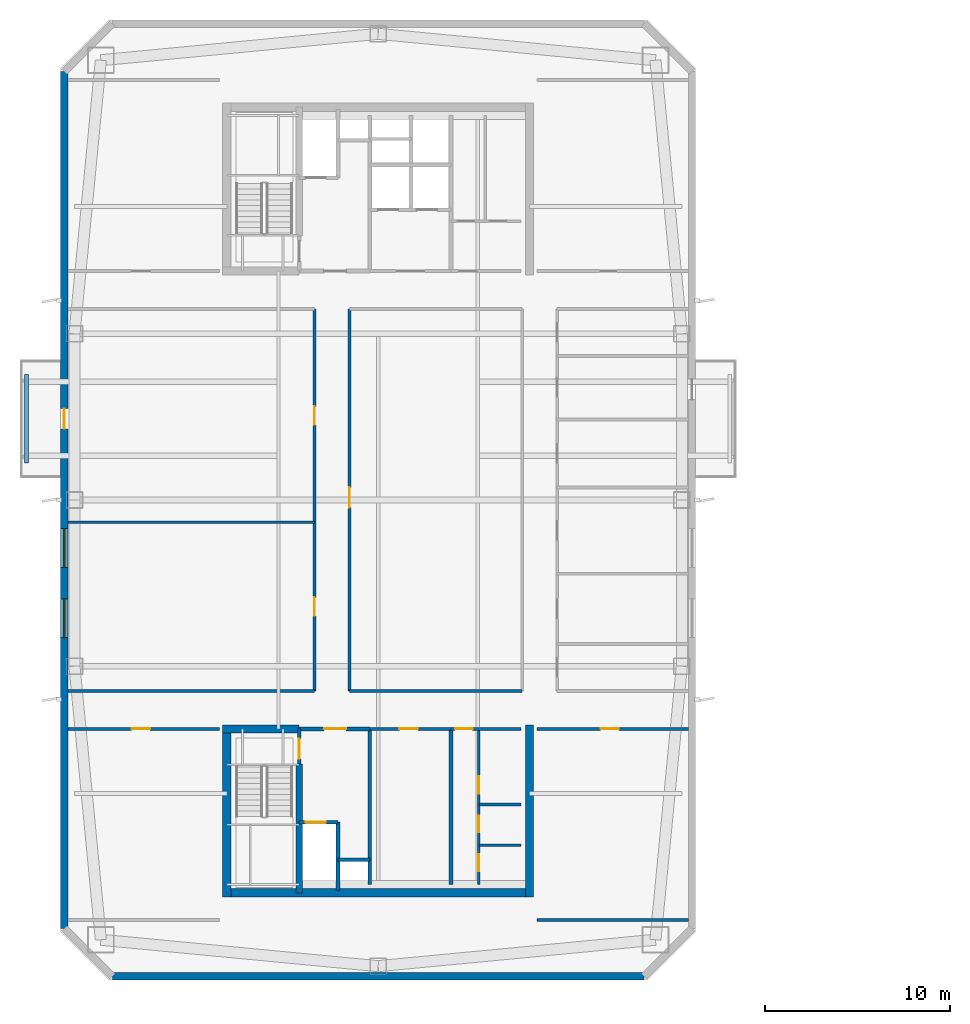
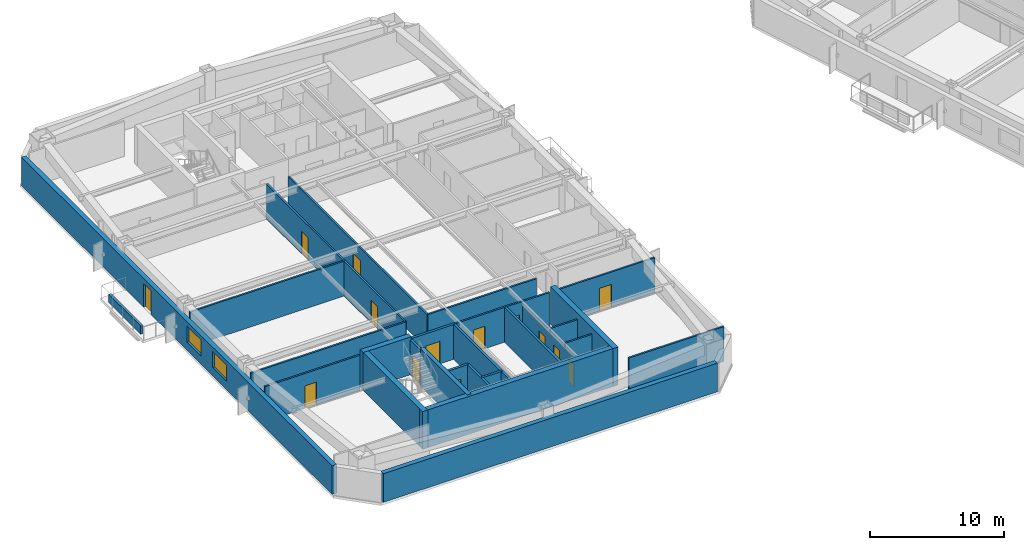
# One storey, part 5 of 17: 28 walls, 14 doors, 2 windows, 16 openings.
"""IFC4 building model written with IfcOpenShell, lengths in metres."""

import ifcopenshell
import ifcopenshell.guid

model = None  # the IFC model being written
_history = None  # IfcOwnerHistory: only IFC2X3 demands one
_inside = {}  # id of a spatial element -> (the spatial element, [elements in it])
_under = {}  # id of a project, library or spatial element -> (it, [spatial elements below it])
_declared = {}  # id of a project -> (the project, [libraries it declares])
_typed = {}  # id of a type object -> (the type object, [elements of that type])
_made_of = {}  # id of a material, layer set ... -> (it, [elements and type objects made of it])


def new_model(schema):
    """Start an empty IFC model of exactly this schema.

    Asked for "IFC4X3", IfcOpenShell would pick the latest addendum, in which some entities
    have other attributes; the version numbers below select the first issue.
    IFC2X3 requires an IfcOwnerHistory on every rooted entity: one is made here for all.
    """
    global model, _history
    if schema == "IFC4X3":
        model = ifcopenshell.file(schema_version=(4, 3, 0, 0))
    else:
        model = ifcopenshell.file(schema=schema)
    _inside.clear()
    _under.clear()
    _declared.clear()
    _typed.clear()
    _made_of.clear()
    _history = None
    if model.schema == "IFC2X3":
        org = make("IfcOrganization", Name="unknown")
        user = make(
            "IfcPersonAndOrganization",
            ThePerson=make("IfcPerson", FamilyName="unknown"),
            TheOrganization=org,
        )
        app = make(
            "IfcApplication",
            ApplicationDeveloper=org,
            Version="unknown",
            ApplicationFullName="unknown",
            ApplicationIdentifier="unknown",
        )
        _history = make(
            "IfcOwnerHistory",
            OwningUser=user,
            OwningApplication=app,
            ChangeAction="ADDED",
            CreationDate=0,
        )
    return model


def make(cls, **values):
    """One entity of the class cls with the attributes given. An attribute that is None is left unset."""
    return model.create_entity(
        cls, **{name: value for name, value in values.items() if value is not None}
    )


def rooted(cls, **values):
    """An entity with a GlobalId (a new one), such as an element, a storey or a relation."""
    return make(cls, GlobalId=ifcopenshell.guid.new(), OwnerHistory=_history, **values)


def si_unit(unit_type, name, prefix=None):
    """IfcSIUnit, for example si_unit("LENGTHUNIT", "METRE", prefix="MILLI")."""
    return make("IfcSIUnit", UnitType=unit_type, Prefix=prefix, Name=name)


def assignment(units):
    """IfcUnitAssignment: the units of a project."""
    return None if units is None else make("IfcUnitAssignment", Units=units)


def point(xyz):
    """IfcCartesianPoint."""
    return None if xyz is None else make("IfcCartesianPoint", Coordinates=xyz)


def direction(xyz):
    """IfcDirection."""
    return None if xyz is None else make("IfcDirection", DirectionRatios=xyz)


def frame(location, z_axis=None, x_axis=None):
    """IfcAxis2Placement3D, a coordinate frame: its origin and axes. An axis left out is left unset."""
    return make(
        "IfcAxis2Placement3D",
        Location=point(location),
        Axis=direction(z_axis),
        RefDirection=direction(x_axis),
    )


def frame_2d(location, x_axis=None):
    """IfcAxis2Placement2D, a coordinate frame in the plane: its origin and x axis."""
    return make(
        "IfcAxis2Placement2D", Location=point(location), RefDirection=direction(x_axis)
    )


def origin():
    """The frame at (0, 0, 0) with its axes left unset."""
    return frame((0.0, 0.0, 0.0))


def place(relative_to, where):
    """IfcLocalPlacement: puts the frame where relative to a parent placement (None: the world)."""
    return make(
        "IfcLocalPlacement", PlacementRelTo=relative_to, RelativePlacement=where
    )


def context(
    kind, dimensions, precision=None, world=None, true_north=None, identifier=None
):
    """IfcGeometricRepresentationContext, for example the 3D "Model" context."""
    return make(
        "IfcGeometricRepresentationContext",
        ContextIdentifier=identifier,
        ContextType=kind,
        CoordinateSpaceDimension=dimensions,
        Precision=precision,
        WorldCoordinateSystem=world,
        TrueNorth=true_north,
    )


def subcontext(parent, identifier, kind, view, scale=None):
    """IfcGeometricRepresentationSubContext, for example "Body" below "Model"."""
    return make(
        "IfcGeometricRepresentationSubContext",
        ContextIdentifier=identifier,
        ContextType=kind,
        ParentContext=parent,
        TargetScale=scale,
        TargetView=view,
    )


def project(units=None, contexts=None):
    """IfcProject with its units and contexts."""
    return rooted(
        "IfcProject",
        Name="project",
        RepresentationContexts=contexts,
        UnitsInContext=assignment(units),
    )


def spatial(cls, under=None, at=None, **own):
    """A site, building, storey or space (cls), placed at a placement, below another one or the project."""
    s = rooted(cls, ObjectPlacement=at, **own)
    if under is not None:
        _under.setdefault(under.id(), (under, []))[1].append(s)
    return s


def profile(cls, at=None, kind="AREA", **sizes):
    """A parametric profile (cls). Its sizes go by their IFC names, for example OverallWidth=200.0."""
    return make(cls, ProfileType=kind, Position=at, **sizes)


def rectangle(**sizes):
    """IfcRectangleProfileDef."""
    return profile("IfcRectangleProfileDef", **sizes)


def extrude(swept, where, along, depth):
    """IfcExtrudedAreaSolid: the profile swept, set in the frame where, extruded along a direction by depth."""
    return make(
        "IfcExtrudedAreaSolid",
        SweptArea=swept,
        Position=where,
        ExtrudedDirection=direction(along),
        Depth=depth,
    )


def shape(context_of_items, identifier, shape_type, items):
    """IfcShapeRepresentation: the items that make up one representation, for example the "Body"."""
    return make(
        "IfcShapeRepresentation",
        ContextOfItems=context_of_items,
        RepresentationIdentifier=identifier,
        RepresentationType=shape_type,
        Items=items,
    )


def material(Name=None, Category=None):
    """IfcMaterial."""
    return make("IfcMaterial", Name=Name, Category=Category)


def layer(
    of_material, thickness, ventilated=None, Name=None, Category=None, Priority=None
):
    """IfcMaterialLayer: one layer of a wall or slab, of a material (None: an air gap)."""
    return make(
        "IfcMaterialLayer",
        Material=of_material,
        LayerThickness=thickness,
        IsVentilated=ventilated,
        Name=Name,
        Category=Category,
        Priority=Priority,
    )


def layer_set(layers, Name=None):
    """IfcMaterialLayerSet."""
    return make("IfcMaterialLayerSet", MaterialLayers=layers, LayerSetName=Name)


def made_of(thing, what):
    """Note that an element or type object is made of a material, layer set ...; save() writes the relation."""
    if what is not None:
        _made_of.setdefault(what.id(), (what, []))[1].append(thing)
    return thing


def type_object(cls, material=None, **own):
    """A type object (cls), such as IfcWallType, which elements share."""
    return made_of(rooted(cls, **own), material)


def element(
    cls,
    number,
    at=None,
    inside=None,
    cuts=None,
    type_object=None,
    material=None,
    context=None,
    identifier="Body",
    shape_type=None,
    held_by="IfcProductDefinitionShape",
    body=None,
    shapes=None,
    **own,
):
    """One element of the class cls, such as IfcWall. Its Tag is "e" and its number.

    at: its placement. inside: the storey or other place that contains it. cuts: it is an
    opening in that element (IfcRelVoidsElement). A single representation is given by context,
    identifier, shape_type and body (its items); several are given by shapes. held_by: the class
    of the entity that holds the representations. save() writes the other relations.
    """
    e = rooted(cls, Tag="e%d" % number, ObjectPlacement=at, **own)
    if body is not None:
        shapes = [shape(context, identifier, shape_type, body)]
    if shapes is not None:
        e.Representation = make(held_by, Representations=shapes)
    if inside is not None:
        _inside.setdefault(inside.id(), (inside, []))[1].append(e)
    if cuts is not None:
        rooted(
            "IfcRelVoidsElement", RelatingBuildingElement=cuts, RelatedOpeningElement=e
        )
    if type_object is not None:
        _typed.setdefault(type_object.id(), (type_object, []))[1].append(e)
    return made_of(e, material)


def fill(opening, filler):
    """IfcRelFillsElement: the door or window that sits in an opening."""
    return rooted(
        "IfcRelFillsElement",
        RelatingOpeningElement=opening,
        RelatedBuildingElement=filler,
    )


def aggregate(whole, parts):
    """IfcRelAggregates: a whole, such as a stair, and the parts it consists of."""
    return rooted("IfcRelAggregates", RelatingObject=whole, RelatedObjects=parts)


def save(model, path):
    """Write the relations noted so far, then the file.

    IfcRelAggregates (storeys below a building ...), IfcRelContainedInSpatialStructure (elements
    in a storey), IfcRelDefinesByType, IfcRelAssociatesMaterial and IfcRelDeclares: one each for
    every whole, place, type object, material and project.
    """
    for whole, parts in _under.values():
        aggregate(whole, parts)
    for where, things in _inside.values():
        rooted(
            "IfcRelContainedInSpatialStructure",
            RelatedElements=things,
            RelatingStructure=where,
        )
    for kind, things in _typed.values():
        rooted("IfcRelDefinesByType", RelatedObjects=things, RelatingType=kind)
    for what, things in _made_of.values():
        rooted("IfcRelAssociatesMaterial", RelatedObjects=things, RelatingMaterial=what)
    for by, libraries in _declared.values():
        rooted("IfcRelDeclares", RelatingContext=by, RelatedDefinitions=libraries)
    model.write(path)


model = new_model("IFC4")

# Units and contexts
model_context = context("Model", 3, precision=1e-05, world=origin(), true_north=direction((0.0, 1.0)))
body_context = subcontext(model_context, "Body", "Model", "MODEL_VIEW")
ifc_project = project(units=[si_unit("LENGTHUNIT", "METRE"), si_unit("AREAUNIT", "SQUARE_METRE"), si_unit("VOLUMEUNIT", "CUBIC_METRE"), si_unit("PLANEANGLEUNIT", "RADIAN"), si_unit("MASSUNIT", "GRAM", prefix="KILO")], contexts=[model_context])

# Site, building, storey
site_placement = place(None, origin())
site = spatial("IfcSite", under=ifc_project, at=site_placement, CompositionType="ELEMENT")
building_placement = place(site_placement, origin())
building = spatial("IfcBuilding", under=site, at=building_placement, Name="Qiaolan Cultural Towers", CompositionType="ELEMENT")
storey_placement = place(building_placement, frame((0.0, 0.0, 205.85009765625)))
storey = spatial("IfcBuildingStorey", under=building, at=storey_placement, Name="L55", CompositionType="ELEMENT", Elevation=205.85009765625)

# Walls
ifc_material_1 = material(Name="Concrete C50", Category="concrete")
ifc_layer_1 = layer(ifc_material_1, 0.35009765625)
ifc_layer_set_1 = layer_set([ifc_layer_1], Name="Concrete C50")
wall_type_1 = type_object("IfcWallType", Name="WL-CORE-350", PredefinedType="SHEAR", material=ifc_layer_set_1)
wall_1_placement = place(storey_placement, frame((25.719970703125, 19.699951171875, 0.0), z_axis=(0.0, 0.0, 1.0), x_axis=(0.0, -1.0, 0.0)))
element("IfcWall", 1, at=wall_1_placement, inside=storey, type_object=wall_type_1, Name="L55 T1-CS Stair Core Dividing Web", PredefinedType="SHEAR", context=body_context, shape_type="SweptSolid", body=[
    extrude(rectangle(XDim=6.97998046875, YDim=0.35009765625, at=frame_2d((3.489990234375, 0.0))), origin(), (0.0, 0.0, 1.0), 3.449951171875),
])
ifc_material_2 = material(Name="Concrete C50", Category="concrete")
ifc_layer_2 = layer(ifc_material_2, 0.449951171875)
ifc_layer_set_2 = layer_set([ifc_layer_2], Name="Concrete C50")
wall_type_2 = type_object("IfcWallType", Name="WL-CORE-450", PredefinedType="SHEAR", material=ifc_layer_set_2)
wall_2_placement = place(storey_placement, frame((21.574951171875, 12.719970703125, 0.0), z_axis=(0.0, 0.0, 1.0), x_axis=(1.0, 0.0, 0.0)))
element("IfcWall", 2, at=wall_2_placement, inside=storey, type_object=wall_type_2, Name="L55 T1-CS Outer Core Shear Wall", PredefinedType="SHEAR", context=body_context, shape_type="SweptSolid", body=[
    extrude(rectangle(XDim=16.85009765625, YDim=0.449951171875, at=frame_2d((8.425048828125, 0.0))), origin(), (0.0, 0.0, 1.0), 3.449951171875),
])
for number, where, z_axis, x_axis, name in (
    (3, (21.800048828125, 21.824951171875, 0.0), (0.0, 0.0, 1.0), (0.0, -1.0, 0.0), "L55 T1-CS West Core Shear Wall"),
    (4, (38.199951171875, 21.824951171875, 0.0), (0.0, 0.0, 1.0), (0.0, -1.0, 0.0), "L55 T1-CS East Core Shear Wall"),
):
    element("IfcWall", number, at=place(storey_placement, frame(where, z_axis=z_axis, x_axis=x_axis)), inside=storey, type_object=wall_type_2, Name=name, PredefinedType="SHEAR", context=body_context, shape_type="SweptSolid", body=[
        extrude(rectangle(XDim=9.329833984375, YDim=0.449951171875, at=frame_2d((4.6650390625, 0.0))), origin(), (0.0, 0.0, 1.0), 3.449951171875),
    ])
wall_3_placement = place(storey_placement, frame((21.574951171875, 21.60009765625, 0.0), z_axis=(0.0, 0.0, 1.0), x_axis=(1.0, 0.0, 0.0)))
element("IfcWall", 5, at=wall_3_placement, inside=storey, type_object=wall_type_2, Name="L55 T1-CS Stair Front Shear Wall", PredefinedType="SHEAR", context=body_context, shape_type="SweptSolid", body=[
    extrude(rectangle(XDim=4.14501953125, YDim=0.449951171875, at=frame_2d((2.072509765625, 0.0))), origin(), (0.0, 0.0, 1.0), 3.449951171875),
])

# Wall, openings, door, windows
ifc_material_3 = material(Name="Precast Concrete C50 Honed Stone Pier", Category="masonry")
ifc_layer_3 = layer(ifc_material_3, 0.39990234375)
ifc_layer_set_3 = layer_set([ifc_layer_3], Name="Precast Concrete C50 Honed Stone Pier")
wall_type_3 = type_object("IfcWallType", Name="WL-EXT-PIER-400", PredefinedType="SOLIDWALL", material=ifc_layer_set_3)
wall_4_placement = place(storey_placement, frame((13.0, 10.800048828125, 0.0), z_axis=(0.0, 0.0, 1.0), x_axis=(0.0, 1.0, 0.0)))
wall_4 = element("IfcWall", 6, at=wall_4_placement, inside=storey, type_object=wall_type_3, Name="L55 West Tower Precast Pier Facade Wall F1", PredefinedType="SOLIDWALL", context=body_context, shape_type="SweptSolid", body=[
    extrude(rectangle(XDim=46.39990234375, YDim=0.39990234375, at=frame_2d((23.199951171875, 0.0))), origin(), (0.0, 0.0, 1.0), 2.60986328125),
])
opening_1_placement = place(wall_4_placement, frame((15.75, 0.0, 0.75)))
opening_1 = element("IfcOpeningElement", 7, at=opening_1_placement, cuts=wall_4, Name="Opening W-05", PredefinedType="OPENING", context=body_context, shape_type="SweptSolid", body=[
    extrude(rectangle(XDim=2.10009765625, YDim=1.4599609375, at=frame_2d((1.050048828125, 0.72998046875))), frame((0.0, 0.2099609375, 0.0), z_axis=(0.0, -1.0, 0.0), x_axis=(1.0, 0.0, 0.0)), (0.0, 0.0, 1.0), 0.419921875),
])
opening_2_placement = place(wall_4_placement, frame((19.550048828125, 0.0, 0.75)))
opening_2 = element("IfcOpeningElement", 8, at=opening_2_placement, cuts=wall_4, Name="Opening W-05", PredefinedType="OPENING", context=body_context, shape_type="SweptSolid", body=[
    extrude(rectangle(XDim=2.10009765625, YDim=1.4599609375, at=frame_2d((1.050048828125, 0.72998046875))), frame((0.0, 0.2099609375, 0.0), z_axis=(0.0, -1.0, 0.0), x_axis=(1.0, 0.0, 0.0)), (0.0, 0.0, 1.0), 0.419921875),
])
opening_3_placement = place(wall_4_placement, frame((27.050048828125, 0.0, 0.0)))
opening_3 = element("IfcOpeningElement", 9, at=opening_3_placement, cuts=wall_4, Name="Opening BD-01", PredefinedType="OPENING", context=body_context, shape_type="SweptSolid", body=[
    extrude(rectangle(XDim=1.10009765625, YDim=2.14990234375, at=frame_2d((0.550048828125, 1.074951171875))), frame((0.0, 0.2099609375, 0.0), z_axis=(0.0, -1.0, 0.0), x_axis=(1.0, 0.0, 0.0)), (0.0, 0.0, 1.0), 0.419921875),
])
ifc_material_4 = material(Name="Thermally Broken Aluminium Glazed Terrace Door", Category="aluminium")
door_type_1 = type_object("IfcDoorType", Name="DR-BAL-1100", OperationType="NOTDEFINED", PredefinedType="DOOR", material=ifc_material_4)
door_1_placement = place(opening_3_placement, origin())
door_1 = element("IfcDoor", 10, at=door_1_placement, inside=storey, type_object=door_type_1, Name="L55 T1 West Tree Balcony Door", OperationType="SINGLE_SWING_LEFT", OverallHeight=2.14990234375, OverallWidth=1.10009765625, PredefinedType="DOOR", context=body_context, shape_type="SweptSolid", body=[
    extrude(rectangle(XDim=1.10009765625, YDim=2.14990234375, at=frame_2d((0.550048828125, 1.074951171875))), frame((0.0, 0.02490234375, 0.0), z_axis=(0.0, -1.0, 0.0), x_axis=(1.0, 0.0, 0.0)), (0.0, 0.0, 1.0), 0.050048828125),
])
fill(opening_3, door_1)
ifc_material_5 = material(Name="Thermally Broken Aluminium Triple Low-E Glazing", Category="aluminium")
window_type = type_object("IfcWindowType", Name="WN-CHIC-2100", PartitioningType="SINGLE_PANEL", PredefinedType="WINDOW", material=ifc_material_5)
window_1_placement = place(opening_1_placement, origin())
window_1 = element("IfcWindow", 11, at=window_1_placement, inside=storey, type_object=window_type, Name="L55 T1 W Chicago Bay Window 1", OverallHeight=1.4599609375, OverallWidth=2.10009765625, PartitioningType="TRIPLE_PANEL_VERTICAL", PredefinedType="WINDOW", context=body_context, shape_type="SweptSolid", body=[
    extrude(rectangle(XDim=2.10009765625, YDim=1.4599609375, at=frame_2d((1.050048828125, 0.72998046875))), frame((0.0, 0.030029296875, 0.0), z_axis=(0.0, -1.0, 0.0), x_axis=(1.0, 0.0, 0.0)), (0.0, 0.0, 1.0), 0.06005859375),
])
fill(opening_1, window_1)
window_2_placement = place(opening_2_placement, origin())
window_2 = element("IfcWindow", 12, at=window_2_placement, inside=storey, type_object=window_type, Name="L55 T1 W Chicago Bay Window 2", OverallHeight=1.4599609375, OverallWidth=2.10009765625, PartitioningType="TRIPLE_PANEL_VERTICAL", PredefinedType="WINDOW", context=body_context, shape_type="SweptSolid", body=[
    extrude(rectangle(XDim=2.10009765625, YDim=1.4599609375, at=frame_2d((1.050048828125, 0.72998046875))), frame((0.0, 0.030029296875, 0.0), z_axis=(0.0, -1.0, 0.0), x_axis=(1.0, 0.0, 0.0)), (0.0, 0.0, 1.0), 0.06005859375),
])
fill(opening_2, window_2)

# Wall
wall_5_placement = place(storey_placement, frame((44.39990234375, 8.199951171875, 0.0), z_axis=(0.0, 0.0, 1.0), x_axis=(-1.0, 0.0, 0.0)))
element("IfcWall", 13, at=wall_5_placement, inside=storey, type_object=wall_type_3, Name="L55 West Tower Precast Pier Facade Wall F7", PredefinedType="SOLIDWALL", context=body_context, shape_type="SweptSolid", body=[
    extrude(rectangle(XDim=28.7998046875, YDim=0.39990234375, at=frame_2d((14.39990234375, 0.0))), origin(), (0.0, 0.0, 1.0), 2.60986328125),
])

# Wall, opening, door
ifc_material_6 = material(Name="Concrete C35 Fire Wall", Category="concrete")
ifc_layer_4 = layer(ifc_material_6, 0.199951171875)
ifc_layer_set_4 = layer_set([ifc_layer_4], Name="Concrete C35 Fire Wall")
wall_type_4 = type_object("IfcWallType", Name="WL-FIRE-200", PredefinedType="PARTITIONING", material=ifc_layer_set_4)
wall_6_placement = place(storey_placement, frame((25.719970703125, 21.60009765625, 0.0), z_axis=(0.0, 0.0, 1.0), x_axis=(0.0, -1.0, 0.0)))
wall_6 = element("IfcWall", 14, at=wall_6_placement, inside=storey, type_object=wall_type_4, Name="L55 T1-CS Smokeproof Stair Entry Wall", PredefinedType="PARTITIONING", context=body_context, shape_type="SweptSolid", body=[
    extrude(rectangle(XDim=1.900146484375, YDim=0.199951171875, at=frame_2d((0.9501953125, 0.0))), origin(), (0.0, 0.0, 1.0), 3.1748046875),
])
opening_4_placement = place(wall_6_placement, frame((0.52001953125, 0.0, 0.0)))
opening_4 = element("IfcOpeningElement", 15, at=opening_4_placement, cuts=wall_6, Name="Opening FD-04", PredefinedType="OPENING", context=body_context, shape_type="SweptSolid", body=[
    extrude(rectangle(XDim=1.10009765625, YDim=2.050048828125, at=frame_2d((0.550048828125, 1.02490234375))), frame((0.0, 0.10986328125, 0.0), z_axis=(0.0, -1.0, 0.0), x_axis=(1.0, 0.0, 0.0)), (0.0, 0.0, 1.0), 0.219970703125),
])
ifc_material_7 = material(Name="Galvanized Steel Command Fire Door", Category="steel")
door_type_2 = type_object("IfcDoorType", Name="DR-FD90-1100", OperationType="NOTDEFINED", PredefinedType="DOOR", material=ifc_material_7)
door_2_placement = place(opening_4_placement, origin())
door_2 = element("IfcDoor", 16, at=door_2_placement, inside=storey, type_object=door_type_2, Name="L55 ST-W1 Smokeproof Stair Fire Door", OperationType="SINGLE_SWING_LEFT", OverallHeight=2.050048828125, OverallWidth=1.10009765625, PredefinedType="DOOR", context=body_context, shape_type="SweptSolid", body=[
    extrude(rectangle(XDim=1.10009765625, YDim=2.050048828125, at=frame_2d((0.550048828125, 1.02490234375))), frame((0.0, 0.02490234375, 0.0), z_axis=(0.0, -1.0, 0.0), x_axis=(1.0, 0.0, 0.0)), (0.0, 0.0, 1.0), 0.050048828125),
])
fill(opening_4, door_2)

# Wall
wall_7_placement = place(storey_placement, frame((29.550048828125, 21.60009765625, 0.0), z_axis=(0.0, 0.0, 1.0), x_axis=(0.0, -1.0, 0.0)))
element("IfcWall", 17, at=wall_7_placement, inside=storey, type_object=wall_type_4, Name="L55 T1-CS Firefighting Zone Wall", PredefinedType="PARTITIONING", context=body_context, shape_type="SweptSolid", body=[
    extrude(rectangle(XDim=8.43017578125, YDim=0.199951171875, at=frame_2d((4.215087890625, 0.0))), origin(), (0.0, 0.0, 1.0), 3.1748046875),
])

# Wall, opening, door
wall_8_placement = place(storey_placement, frame((25.719970703125, 21.60009765625, 0.0), z_axis=(0.0, 0.0, 1.0), x_axis=(1.0, 0.0, 0.0)))
wall_8 = element("IfcWall", 18, at=wall_8_placement, inside=storey, type_object=wall_type_4, Name="L55 T1-CS Firefighting Lobby Front Wall", PredefinedType="PARTITIONING", context=body_context, shape_type="SweptSolid", body=[
    extrude(rectangle(XDim=3.830078125, YDim=0.199951171875, at=frame_2d((1.9150390625, 0.0))), origin(), (0.0, 0.0, 1.0), 3.1748046875),
])
opening_5_placement = place(wall_8_placement, frame((1.35009765625, 0.0, 0.0)))
opening_5 = element("IfcOpeningElement", 19, at=opening_5_placement, cuts=wall_8, Name="Opening FD-03", PredefinedType="OPENING", context=body_context, shape_type="SweptSolid", body=[
    extrude(rectangle(XDim=1.199951171875, YDim=2.050048828125, at=frame_2d((0.60009765625, 1.02490234375))), frame((0.0, 0.10986328125, 0.0), z_axis=(0.0, -1.0, 0.0), x_axis=(1.0, 0.0, 0.0)), (0.0, 0.0, 1.0), 0.219970703125),
])
ifc_material_8 = material(Name="Galvanized Steel Smokeproof Lobby Fire Door", Category="steel")
door_type_3 = type_object("IfcDoorType", Name="DR-FD90-1200", OperationType="NOTDEFINED", PredefinedType="DOOR", material=ifc_material_8)
door_3_placement = place(opening_5_placement, origin())
door_3 = element("IfcDoor", 20, at=door_3_placement, inside=storey, type_object=door_type_3, Name="L55 FFL-W1 Firefighting Lobby Fire Door", OperationType="SINGLE_SWING_LEFT", OverallHeight=2.050048828125, OverallWidth=1.199951171875, PredefinedType="DOOR", context=body_context, shape_type="SweptSolid", body=[
    extrude(rectangle(XDim=1.199951171875, YDim=2.050048828125, at=frame_2d((0.60009765625, 1.02490234375))), frame((0.0, 0.02490234375, 0.0), z_axis=(0.0, -1.0, 0.0), x_axis=(1.0, 0.0, 0.0)), (0.0, 0.0, 1.0), 0.050048828125),
])
fill(opening_5, door_3)

wall_9_placement = place(storey_placement, frame((25.719970703125, 16.550048828125, 0.0), z_axis=(0.0, 0.0, 1.0), x_axis=(1.0, 0.0, 0.0)))
wall_9 = element("IfcWall", 21, at=wall_9_placement, inside=storey, type_object=wall_type_4, Name="L55 T1-CS Firefighting Shaft Front Wall", PredefinedType="PARTITIONING", context=body_context, shape_type="SweptSolid", body=[
    extrude(rectangle(XDim=2.10009765625, YDim=0.199951171875, at=frame_2d((1.050048828125, 0.0))), origin(), (0.0, 0.0, 1.0), 3.1748046875),
])
opening_6_placement = place(wall_9_placement, frame((0.35009765625, 0.0, 0.0)))
opening_6 = element("IfcOpeningElement", 22, at=opening_6_placement, cuts=wall_9, Name="Opening LD-01", PredefinedType="OPENING", context=body_context, shape_type="SweptSolid", body=[
    extrude(rectangle(XDim=1.10009765625, YDim=2.050048828125, at=frame_2d((0.550048828125, 1.02490234375))), frame((0.0, 0.10986328125, 0.0), z_axis=(0.0, -1.0, 0.0), x_axis=(1.0, 0.0, 0.0)), (0.0, 0.0, 1.0), 0.219970703125),
])
ifc_material_9 = material(Name="Brushed Stainless Steel S30408 Centre-Parting Lift Landing Door", Category="steel")
door_type_4 = type_object("IfcDoorType", Name="DR-LIFT-1100", OperationType="NOTDEFINED", PredefinedType="DOOR", material=ifc_material_9)
door_4_placement = place(opening_6_placement, origin())
door_4 = element("IfcDoor", 23, at=door_4_placement, inside=storey, type_object=door_type_4, Name="L55 FFL-W1 Firefighting Lift Landing Door", OperationType="DOUBLE_DOOR_SLIDING", OverallHeight=2.050048828125, OverallWidth=1.10009765625, PredefinedType="DOOR", context=body_context, shape_type="SweptSolid", body=[
    extrude(rectangle(XDim=1.10009765625, YDim=2.050048828125, at=frame_2d((0.550048828125, 1.02490234375))), frame((0.0, 0.02490234375, 0.0), z_axis=(0.0, -1.0, 0.0), x_axis=(1.0, 0.0, 0.0)), (0.0, 0.0, 1.0), 0.050048828125),
])
fill(opening_6, door_4)

# Walls
wall_10_placement = place(storey_placement, frame((27.820068359375, 16.550048828125, 0.0), z_axis=(0.0, 0.0, 1.0), x_axis=(0.0, -1.0, 0.0)))
element("IfcWall", 24, at=wall_10_placement, inside=storey, type_object=wall_type_4, Name="L55 T1-CS Firefighting Hoistway East Wall", PredefinedType="PARTITIONING", context=body_context, shape_type="SweptSolid", body=[
    extrude(rectangle(XDim=3.699951171875, YDim=0.199951171875, at=frame_2d((1.85009765625, 0.0))), origin(), (0.0, 0.0, 1.0), 3.1748046875),
])
wall_11_placement = place(storey_placement, frame((27.820068359375, 14.52001953125, 0.0), z_axis=(0.0, 0.0, 1.0), x_axis=(1.0, 0.0, 0.0)))
element("IfcWall", 25, at=wall_11_placement, inside=storey, type_object=wall_type_4, Name="L55 T1-CS Pressurization Shaft Front Wall", PredefinedType="PARTITIONING", context=body_context, shape_type="SweptSolid", body=[
    extrude(rectangle(XDim=1.72998046875, YDim=0.199951171875, at=frame_2d((0.864990234375, 0.0))), origin(), (0.0, 0.0, 1.0), 3.1748046875),
])
wall_12_placement = place(storey_placement, frame((33.949951171875, 21.60009765625, 0.0), z_axis=(0.0, 0.0, 1.0), x_axis=(0.0, -1.0, 0.0)))
element("IfcWall", 26, at=wall_12_placement, inside=storey, type_object=wall_type_4, Name="L55 T1-CS Lift Core East Wall", PredefinedType="PARTITIONING", context=body_context, shape_type="SweptSolid", body=[
    extrude(rectangle(XDim=8.43017578125, YDim=0.199951171875, at=frame_2d((4.215087890625, 0.0))), origin(), (0.0, 0.0, 1.0), 3.1748046875),
])

# Wall, opening, door
ifc_material_10 = material(Name="Autoclaved Aerated Concrete Block B06", Category="concrete")
ifc_layer_5 = layer(ifc_material_10, 0.14990234375)
ifc_layer_set_5 = layer_set([ifc_layer_5], Name="Autoclaved Aerated Concrete Block B06")
wall_type_5 = type_object("IfcWallType", Name="WL-PART-150", PredefinedType="PARTITIONING", material=ifc_layer_set_5)
wall_13_placement = place(storey_placement, frame((29.550048828125, 21.60009765625, 0.0), z_axis=(0.0, 0.0, 1.0), x_axis=(1.0, 0.0, 0.0)))
wall_13 = element("IfcWall", 27, at=wall_13_placement, inside=storey, type_object=wall_type_5, Name="L55 T1-CS Reclaimed Core Room Front Wall", PredefinedType="PARTITIONING", context=body_context, shape_type="SweptSolid", body=[
    extrude(rectangle(XDim=4.39990234375, YDim=0.14990234375, at=frame_2d((2.199951171875, 0.0))), origin(), (0.0, 0.0, 1.0), 3.1748046875),
])
opening_7_placement = place(wall_13_placement, frame((1.60009765625, 0.0, 0.0)))
opening_7 = element("IfcOpeningElement", 28, at=opening_7_placement, cuts=wall_13, Name="Opening ID-04", PredefinedType="OPENING", context=body_context, shape_type="SweptSolid", body=[
    extrude(rectangle(XDim=1.0, YDim=2.050048828125, at=frame_2d((0.5, 1.02490234375))), frame((0.0, 0.0849609375, 0.0), z_axis=(0.0, -1.0, 0.0), x_axis=(1.0, 0.0, 0.0)), (0.0, 0.0, 1.0), 0.169921875),
])
ifc_material_11 = material(Name="Oak Veneer Acoustic Office Door", Category="timber")
door_type_5 = type_object("IfcDoorType", Name="DR-INT-1000", OperationType="NOTDEFINED", PredefinedType="DOOR", material=ifc_material_11)
door_5_placement = place(opening_7_placement, origin())
door_5 = element("IfcDoor", 29, at=door_5_placement, inside=storey, type_object=door_type_5, Name="L55 Reclaimed Archive Room Door", OperationType="SINGLE_SWING_LEFT", OverallHeight=2.050048828125, OverallWidth=1.0, PredefinedType="DOOR", context=body_context, shape_type="SweptSolid", body=[
    extrude(rectangle(XDim=1.0, YDim=2.050048828125, at=frame_2d((0.5, 1.02490234375))), frame((0.0, 0.02490234375, 0.0), z_axis=(0.0, -1.0, 0.0), x_axis=(1.0, 0.0, 0.0)), (0.0, 0.0, 1.0), 0.050048828125),
])
fill(opening_7, door_5)

wall_14_placement = place(storey_placement, frame((33.949951171875, 21.60009765625, 0.0), z_axis=(0.0, 0.0, 1.0), x_axis=(1.0, 0.0, 0.0)))
wall_14 = element("IfcWall", 30, at=wall_14_placement, inside=storey, type_object=wall_type_5, Name="L55 T1-CS Sanitary Core Front Wall", PredefinedType="PARTITIONING", context=body_context, shape_type="SweptSolid", body=[
    extrude(rectangle(XDim=3.800048828125, YDim=0.14990234375, at=frame_2d((1.89990234375, 0.0))), origin(), (0.0, 0.0, 1.0), 3.1748046875),
])
opening_8_placement = place(wall_14_placement, frame((0.219970703125, 0.0, 0.0)))
opening_8 = element("IfcOpeningElement", 31, at=opening_8_placement, cuts=wall_14, Name="Opening ID-05", PredefinedType="OPENING", context=body_context, shape_type="SweptSolid", body=[
    extrude(rectangle(XDim=0.949951171875, YDim=2.050048828125, at=frame_2d((0.47509765625, 1.02490234375))), frame((0.0, 0.0849609375, 0.0), z_axis=(0.0, -1.0, 0.0), x_axis=(1.0, 0.0, 0.0)), (0.0, 0.0, 1.0), 0.169921875),
])
ifc_material_12 = material(Name="Fire-Rated Laminate Accessible Core Door", Category="timber")
door_type_6 = type_object("IfcDoorType", Name="DR-INT-950", OperationType="NOTDEFINED", PredefinedType="DOOR", material=ifc_material_12)
door_6_placement = place(opening_8_placement, origin())
door_6 = element("IfcDoor", 32, at=door_6_placement, inside=storey, type_object=door_type_6, Name="L55 Sanitary Vestibule Door", OperationType="SINGLE_SWING_LEFT", OverallHeight=2.050048828125, OverallWidth=0.949951171875, PredefinedType="DOOR", context=body_context, shape_type="SweptSolid", body=[
    extrude(rectangle(XDim=0.949951171875, YDim=2.050048828125, at=frame_2d((0.47509765625, 1.02490234375))), frame((0.0, 0.02490234375, 0.0), z_axis=(0.0, -1.0, 0.0), x_axis=(1.0, 0.0, 0.0)), (0.0, 0.0, 1.0), 0.050048828125),
])
fill(opening_8, door_6)

# Wall, openings, doors
wall_15_placement = place(storey_placement, frame((35.449951171875, 21.60009765625, 0.0), z_axis=(0.0, 0.0, 1.0), x_axis=(0.0, -1.0, 0.0)))
wall_15 = element("IfcWall", 33, at=wall_15_placement, inside=storey, type_object=wall_type_5, Name="L55 T1-CS Sanitary Vestibule Wall", PredefinedType="PARTITIONING", context=body_context, shape_type="SweptSolid", body=[
    extrude(rectangle(XDim=8.43017578125, YDim=0.14990234375, at=frame_2d((4.215087890625, 0.0))), origin(), (0.0, 0.0, 1.0), 2.81494140625),
])
opening_9_placement = place(wall_15_placement, frame((2.550048828125, 0.0, 0.0)))
opening_9 = element("IfcOpeningElement", 34, at=opening_9_placement, cuts=wall_15, Name="Opening ID-05", PredefinedType="OPENING", context=body_context, shape_type="SweptSolid", body=[
    extrude(rectangle(XDim=0.949951171875, YDim=2.050048828125, at=frame_2d((0.47509765625, 1.02490234375))), frame((0.0, 0.0849609375, 0.0), z_axis=(0.0, -1.0, 0.0), x_axis=(1.0, 0.0, 0.0)), (0.0, 0.0, 1.0), 0.169921875),
])
opening_10_placement = place(wall_15_placement, frame((4.699951171875, 0.0, 0.0)))
opening_10 = element("IfcOpeningElement", 35, at=opening_10_placement, cuts=wall_15, Name="Opening ID-06", PredefinedType="OPENING", context=body_context, shape_type="SweptSolid", body=[
    extrude(rectangle(XDim=0.89990234375, YDim=2.050048828125, at=frame_2d((0.449951171875, 1.02490234375))), frame((0.0, 0.0849609375, 0.0), z_axis=(0.0, -1.0, 0.0), x_axis=(1.0, 0.0, 0.0)), (0.0, 0.0, 1.0), 0.169921875),
])
opening_11_placement = place(wall_15_placement, frame((6.800048828125, 0.0, 0.0)))
opening_11 = element("IfcOpeningElement", 36, at=opening_11_placement, cuts=wall_15, Name="Opening ID-06", PredefinedType="OPENING", context=body_context, shape_type="SweptSolid", body=[
    extrude(rectangle(XDim=0.89990234375, YDim=2.050048828125, at=frame_2d((0.449951171875, 1.02490234375))), frame((0.0, 0.0849609375, 0.0), z_axis=(0.0, -1.0, 0.0), x_axis=(1.0, 0.0, 0.0)), (0.0, 0.0, 1.0), 0.169921875),
])
ifc_material_13 = material(Name="Fire-Rated Laminate Core Service Door", Category="timber")
door_type_7 = type_object("IfcDoorType", Name="DR-INT-900", OperationType="NOTDEFINED", PredefinedType="DOOR", material=ifc_material_13)
door_7_placement = place(opening_10_placement, origin())
door_7 = element("IfcDoor", 37, at=door_7_placement, inside=storey, type_object=door_type_7, Name="L55 Men Washroom Door", OperationType="SINGLE_SWING_LEFT", OverallHeight=2.050048828125, OverallWidth=0.89990234375, PredefinedType="DOOR", context=body_context, shape_type="SweptSolid", body=[
    extrude(rectangle(XDim=0.89990234375, YDim=2.050048828125, at=frame_2d((0.449951171875, 1.02490234375))), frame((0.0, 0.02490234375, 0.0), z_axis=(0.0, -1.0, 0.0), x_axis=(1.0, 0.0, 0.0)), (0.0, 0.0, 1.0), 0.050048828125),
])
fill(opening_10, door_7)
door_8_placement = place(opening_11_placement, origin())
door_8 = element("IfcDoor", 38, at=door_8_placement, inside=storey, type_object=door_type_7, Name="L55 Women Washroom Door", OperationType="SINGLE_SWING_RIGHT", OverallHeight=2.050048828125, OverallWidth=0.89990234375, PredefinedType="DOOR", context=body_context, shape_type="SweptSolid", body=[
    extrude(rectangle(XDim=0.89990234375, YDim=2.050048828125, at=frame_2d((0.449951171875, 1.02490234375))), frame((0.0, 0.02490234375, 0.0), z_axis=(0.0, -1.0, 0.0), x_axis=(1.0, 0.0, 0.0)), (0.0, 0.0, 1.0), 0.050048828125),
])
fill(opening_11, door_8)
door_9_placement = place(opening_9_placement, origin())
door_9 = element("IfcDoor", 39, at=door_9_placement, inside=storey, type_object=door_type_6, Name="L55 Accessible Family Washroom Door", OperationType="SINGLE_SWING_LEFT", OverallHeight=2.050048828125, OverallWidth=0.949951171875, PredefinedType="DOOR", context=body_context, shape_type="SweptSolid", body=[
    extrude(rectangle(XDim=0.949951171875, YDim=2.050048828125, at=frame_2d((0.47509765625, 1.02490234375))), frame((0.0, 0.02490234375, 0.0), z_axis=(0.0, -1.0, 0.0), x_axis=(1.0, 0.0, 0.0)), (0.0, 0.0, 1.0), 0.050048828125),
])
fill(opening_9, door_9)

# Walls
for number, where, z_axis, x_axis, name in (
    (40, (35.449951171875, 17.5, 0.0), (0.0, 0.0, 1.0), (1.0, 0.0, 0.0), "L55 T1-CS Restroom Split Wall 1"),
    (41, (35.449951171875, 15.300048828125, 0.0), (0.0, 0.0, 1.0), (1.0, 0.0, 0.0), "L55 T1-CS Restroom Split Wall 2"),
):
    element("IfcWall", number, at=place(storey_placement, frame(where, z_axis=z_axis, x_axis=x_axis)), inside=storey, type_object=wall_type_5, Name=name, PredefinedType="PARTITIONING", context=body_context, shape_type="SweptSolid", body=[
        extrude(rectangle(XDim=2.300048828125, YDim=0.14990234375, at=frame_2d((1.14990234375, 0.0))), origin(), (0.0, 0.0, 1.0), 3.1748046875),
    ])

# Wall, opening, door
wall_16_placement = place(storey_placement, frame((13.199951171875, 21.60009765625, 0.0), z_axis=(0.0, 0.0, 1.0), x_axis=(1.0, 0.0, 0.0)))
wall_16 = element("IfcWall", 42, at=wall_16_placement, inside=storey, type_object=wall_type_5, Name="L55 T1 Flank Front FLK-SW", PredefinedType="PARTITIONING", context=body_context, shape_type="SweptSolid", body=[
    extrude(rectangle(XDim=8.199951171875, YDim=0.14990234375, at=frame_2d((4.10009765625, 0.0))), origin(), (0.0, 0.0, 1.0), 3.1748046875),
])
opening_12_placement = place(wall_16_placement, frame((3.444091796875, 0.0, 0.0)))
opening_12 = element("IfcOpeningElement", 43, at=opening_12_placement, cuts=wall_16, Name="Opening ID-04", PredefinedType="OPENING", context=body_context, shape_type="SweptSolid", body=[
    extrude(rectangle(XDim=1.0, YDim=2.050048828125, at=frame_2d((0.5, 1.02490234375))), frame((0.0, 0.0849609375, 0.0), z_axis=(0.0, -1.0, 0.0), x_axis=(1.0, 0.0, 0.0)), (0.0, 0.0, 1.0), 0.169921875),
])
door_10_placement = place(opening_12_placement, origin())
door_10 = element("IfcDoor", 44, at=door_10_placement, inside=storey, type_object=door_type_5, Name="L55 T1 Corner Studio Door", OperationType="SINGLE_SWING_LEFT", OverallHeight=2.050048828125, OverallWidth=1.0, PredefinedType="DOOR", context=body_context, shape_type="SweptSolid", body=[
    extrude(rectangle(XDim=1.0, YDim=2.050048828125, at=frame_2d((0.5, 1.02490234375))), frame((0.0, 0.02490234375, 0.0), z_axis=(0.0, -1.0, 0.0), x_axis=(1.0, 0.0, 0.0)), (0.0, 0.0, 1.0), 0.050048828125),
])
fill(opening_12, door_10)

# Wall
wall_17_placement = place(storey_placement, frame((38.60009765625, 11.25, 0.0), z_axis=(0.0, 0.0, 1.0), x_axis=(1.0, 0.0, 0.0)))
element("IfcWall", 45, at=wall_17_placement, inside=storey, type_object=wall_type_5, Name="L55 T1 Flank Wall FLK-SE", PredefinedType="PARTITIONING", context=body_context, shape_type="SweptSolid", body=[
    extrude(rectangle(XDim=8.199951171875, YDim=0.14990234375, at=frame_2d((4.10009765625, 0.0))), origin(), (0.0, 0.0, 1.0), 3.1748046875),
])

# Wall, opening, door
wall_18_placement = place(storey_placement, frame((38.60009765625, 21.60009765625, 0.0), z_axis=(0.0, 0.0, 1.0), x_axis=(1.0, 0.0, 0.0)))
wall_18 = element("IfcWall", 46, at=wall_18_placement, inside=storey, type_object=wall_type_5, Name="L55 T1 Flank Front FLK-SE", PredefinedType="PARTITIONING", context=body_context, shape_type="SweptSolid", body=[
    extrude(rectangle(XDim=8.199951171875, YDim=0.14990234375, at=frame_2d((4.10009765625, 0.0))), origin(), (0.0, 0.0, 1.0), 3.1748046875),
])
opening_13_placement = place(wall_18_placement, frame((3.444091796875, 0.0, 0.0)))
opening_13 = element("IfcOpeningElement", 47, at=opening_13_placement, cuts=wall_18, Name="Opening ID-04", PredefinedType="OPENING", context=body_context, shape_type="SweptSolid", body=[
    extrude(rectangle(XDim=1.0, YDim=2.050048828125, at=frame_2d((0.5, 1.02490234375))), frame((0.0, 0.0849609375, 0.0), z_axis=(0.0, -1.0, 0.0), x_axis=(1.0, 0.0, 0.0)), (0.0, 0.0, 1.0), 0.169921875),
])
door_11_placement = place(opening_13_placement, origin())
door_11 = element("IfcDoor", 48, at=door_11_placement, inside=storey, type_object=door_type_5, Name="L55 T1 Corner Studio Door", OperationType="SINGLE_SWING_LEFT", OverallHeight=2.050048828125, OverallWidth=1.0, PredefinedType="DOOR", context=body_context, shape_type="SweptSolid", body=[
    extrude(rectangle(XDim=1.0, YDim=2.050048828125, at=frame_2d((0.5, 1.02490234375))), frame((0.0, 0.02490234375, 0.0), z_axis=(0.0, -1.0, 0.0), x_axis=(1.0, 0.0, 0.0)), (0.0, 0.0, 1.0), 0.050048828125),
])
fill(opening_13, door_11)

# Walls
wall_19_placement = place(storey_placement, frame((13.199951171875, 23.64990234375, 0.0), z_axis=(0.0, 0.0, 1.0), x_axis=(1.0, 0.0, 0.0)))
element("IfcWall", 49, at=wall_19_placement, inside=storey, type_object=wall_type_5, Name="L55 T1 Interior Wall", PredefinedType="PARTITIONING", context=body_context, shape_type="SweptSolid", body=[
    extrude(rectangle(XDim=13.35009765625, YDim=0.14990234375, at=frame_2d((6.675048828125, 0.0))), origin(), (0.0, 0.0, 1.0), 3.1748046875),
])
wall_20_placement = place(storey_placement, frame((28.449951171875, 23.64990234375, 0.0), z_axis=(0.0, 0.0, 1.0), x_axis=(1.0, 0.0, 0.0)))
element("IfcWall", 50, at=wall_20_placement, inside=storey, type_object=wall_type_5, Name="L55 T1 Interior Wall", PredefinedType="PARTITIONING", context=body_context, shape_type="SweptSolid", body=[
    extrude(rectangle(XDim=9.35009765625, YDim=0.14990234375, at=frame_2d((4.675048828125, 0.0))), origin(), (0.0, 0.0, 1.0), 3.1748046875),
])

# Wall, openings, doors
wall_21_placement = place(storey_placement, frame((26.550048828125, 23.64990234375, 0.0), z_axis=(0.0, 0.0, 1.0), x_axis=(0.0, 1.0, 0.0)))
wall_21 = element("IfcWall", 51, at=wall_21_placement, inside=storey, type_object=wall_type_5, Name="L55 T1 Interior Wall", PredefinedType="PARTITIONING", context=body_context, shape_type="SweptSolid", body=[
    extrude(rectangle(XDim=20.7001953125, YDim=0.14990234375, at=frame_2d((10.35009765625, 0.0))), origin(), (0.0, 0.0, 1.0), 3.1748046875),
])
opening_14_placement = place(wall_21_placement, frame((4.074951171875, 0.0, 0.0)))
opening_14 = element("IfcOpeningElement", 52, at=opening_14_placement, cuts=wall_21, Name="Opening ID-04", PredefinedType="OPENING", context=body_context, shape_type="SweptSolid", body=[
    extrude(rectangle(XDim=1.0, YDim=2.050048828125, at=frame_2d((0.5, 1.02490234375))), frame((0.0, 0.0849609375, 0.0), z_axis=(0.0, -1.0, 0.0), x_axis=(1.0, 0.0, 0.0)), (0.0, 0.0, 1.0), 0.169921875),
])
opening_15_placement = place(wall_21_placement, frame((14.425048828125, 0.0, 0.0)))
opening_15 = element("IfcOpeningElement", 53, at=opening_15_placement, cuts=wall_21, Name="Opening ID-04", PredefinedType="OPENING", context=body_context, shape_type="SweptSolid", body=[
    extrude(rectangle(XDim=1.0, YDim=2.050048828125, at=frame_2d((0.5, 1.02490234375))), frame((0.0, 0.0849609375, 0.0), z_axis=(0.0, -1.0, 0.0), x_axis=(1.0, 0.0, 0.0)), (0.0, 0.0, 1.0), 0.169921875),
])
door_12_placement = place(opening_14_placement, origin())
door_12 = element("IfcDoor", 54, at=door_12_placement, inside=storey, type_object=door_type_5, Name="L55 T1 Grand Cultural Forum Hall Door", OperationType="SINGLE_SWING_LEFT", OverallHeight=2.050048828125, OverallWidth=1.0, PredefinedType="DOOR", context=body_context, shape_type="SweptSolid", body=[
    extrude(rectangle(XDim=1.0, YDim=2.050048828125, at=frame_2d((0.5, 1.02490234375))), frame((0.0, 0.02490234375, 0.0), z_axis=(0.0, -1.0, 0.0), x_axis=(1.0, 0.0, 0.0)), (0.0, 0.0, 1.0), 0.050048828125),
])
fill(opening_14, door_12)
door_13_placement = place(opening_15_placement, origin())
door_13 = element("IfcDoor", 55, at=door_13_placement, inside=storey, type_object=door_type_5, Name="L55 T1 Forum Green Lounge Door", OperationType="SINGLE_SWING_RIGHT", OverallHeight=2.050048828125, OverallWidth=1.0, PredefinedType="DOOR", context=body_context, shape_type="SweptSolid", body=[
    extrude(rectangle(XDim=1.0, YDim=2.050048828125, at=frame_2d((0.5, 1.02490234375))), frame((0.0, 0.02490234375, 0.0), z_axis=(0.0, -1.0, 0.0), x_axis=(1.0, 0.0, 0.0)), (0.0, 0.0, 1.0), 0.050048828125),
])
fill(opening_15, door_13)

# Wall, opening, door
wall_22_placement = place(storey_placement, frame((28.449951171875, 23.64990234375, 0.0), z_axis=(0.0, 0.0, 1.0), x_axis=(0.0, 1.0, 0.0)))
wall_22 = element("IfcWall", 56, at=wall_22_placement, inside=storey, type_object=wall_type_5, Name="L55 T1 Interior Wall", PredefinedType="PARTITIONING", context=body_context, shape_type="SweptSolid", body=[
    extrude(rectangle(XDim=20.7001953125, YDim=0.14990234375, at=frame_2d((10.35009765625, 0.0))), origin(), (0.0, 0.0, 1.0), 3.1748046875),
])
opening_16_placement = place(wall_22_placement, frame((9.93603515625, 0.0, 0.0)))
opening_16 = element("IfcOpeningElement", 57, at=opening_16_placement, cuts=wall_22, Name="Opening ID-03", PredefinedType="OPENING", context=body_context, shape_type="SweptSolid", body=[
    extrude(rectangle(XDim=1.10009765625, YDim=2.050048828125, at=frame_2d((0.550048828125, 1.02490234375))), frame((0.0, 0.0849609375, 0.0), z_axis=(0.0, -1.0, 0.0), x_axis=(1.0, 0.0, 0.0)), (0.0, 0.0, 1.0), 0.169921875),
])
ifc_material_14 = material(Name="Oak Veneer Solid-Core Boardroom Door", Category="timber")
door_type_8 = type_object("IfcDoorType", Name="DR-INT-1100", OperationType="NOTDEFINED", PredefinedType="DOOR", material=ifc_material_14)
door_14_placement = place(opening_16_placement, origin())
door_14 = element("IfcDoor", 58, at=door_14_placement, inside=storey, type_object=door_type_8, Name="L55 T1 Central Colloquium Hall Door", OperationType="SINGLE_SWING_LEFT", OverallHeight=2.050048828125, OverallWidth=1.10009765625, PredefinedType="DOOR", context=body_context, shape_type="SweptSolid", body=[
    extrude(rectangle(XDim=1.10009765625, YDim=2.050048828125, at=frame_2d((0.550048828125, 1.02490234375))), frame((0.0, 0.02490234375, 0.0), z_axis=(0.0, -1.0, 0.0), x_axis=(1.0, 0.0, 0.0)), (0.0, 0.0, 1.0), 0.050048828125),
])
fill(opening_16, door_14)

# Walls
wall_23_placement = place(storey_placement, frame((13.199951171875, 32.800048828125, 0.0), z_axis=(0.0, 0.0, 1.0), x_axis=(1.0, 0.0, 0.0)))
element("IfcWall", 59, at=wall_23_placement, inside=storey, type_object=wall_type_5, Name="L55 T1 Interior Wall", PredefinedType="PARTITIONING", context=body_context, shape_type="SweptSolid", body=[
    extrude(rectangle(XDim=13.35009765625, YDim=0.14990234375, at=frame_2d((6.675048828125, 0.0))), origin(), (0.0, 0.0, 1.0), 3.1748046875),
])
ifc_material_15 = material(Name="Precast Concrete C45 Tree Planter Upstand", Category="concrete")
ifc_layer_6 = layer(ifc_material_15, 0.199951171875)
ifc_layer_set_6 = layer_set([ifc_layer_6], Name="Precast Concrete C45 Tree Planter Upstand")
wall_type_6 = type_object("IfcWallType", Name="WL-PLANTER-200", PredefinedType="PARAPET", material=ifc_layer_set_6)
wall_24_placement = place(storey_placement, frame((10.949951171875, 36.0, 0.0), z_axis=(0.0, 0.0, 1.0), x_axis=(0.0, 1.0, 0.0)))
element("IfcWall", 60, at=wall_24_placement, inside=storey, type_object=wall_type_6, Name="L55 T1 Tree Balcony Soil Planter Box W", PredefinedType="PARAPET", context=body_context, shape_type="SweptSolid", body=[
    extrude(rectangle(XDim=4.800048828125, YDim=0.199951171875, at=frame_2d((2.39990234375, 0.0))), origin(), (0.0, 0.0, 1.0), 0.75),
])

save(model, "model.ifc")
